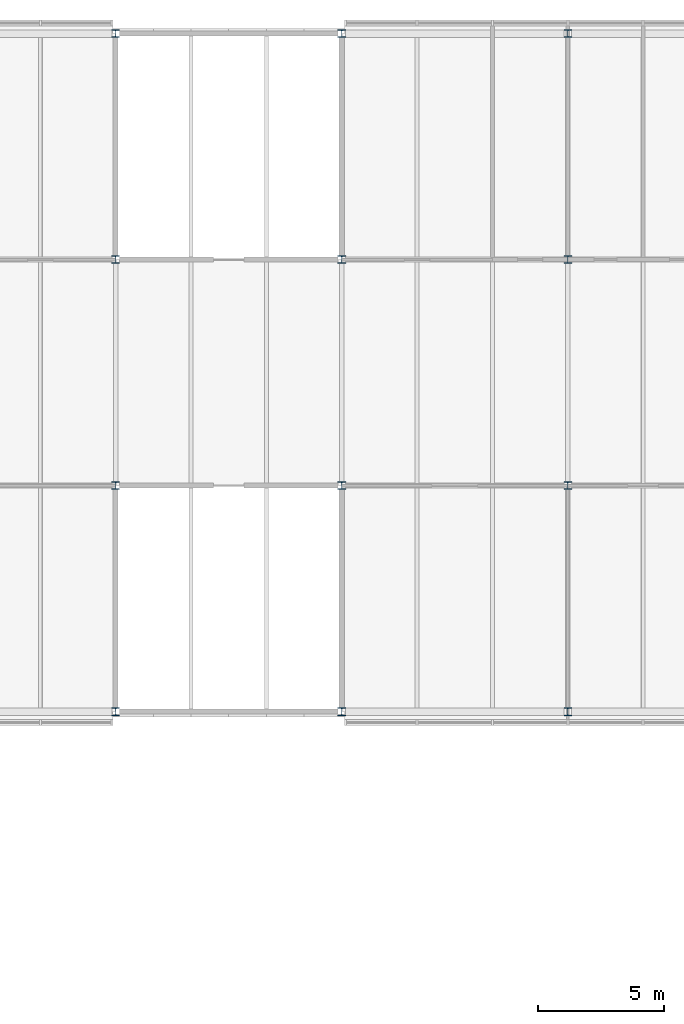
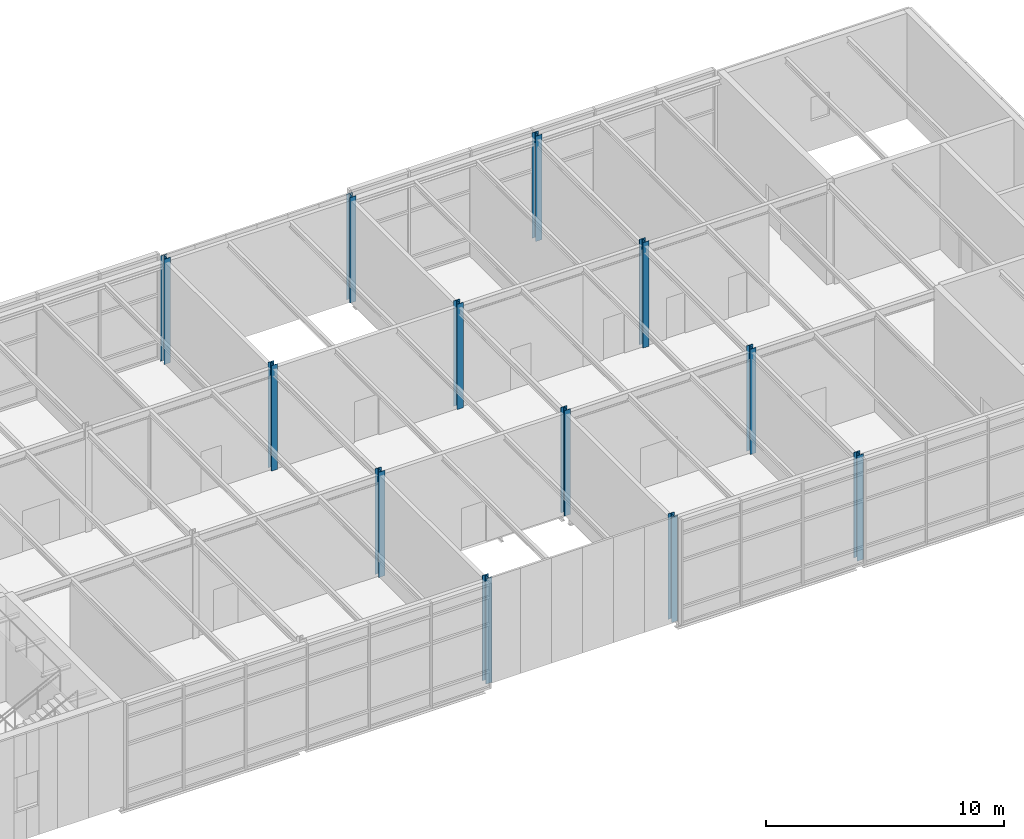
# One storey, part 8 of 46: 12 columns.
"""IFC4 building model written with IfcOpenShell, lengths in metres."""

from ifc_helpers import new_model, si_unit, direction, frame, origin, origin_2d, place, context, subcontext, project, spatial, i_section, extrude, material, material_profile, profile_set, type_object, element, save


model = new_model("IFC4")

# Units and contexts
model_context = context("Model", 3, precision=1e-05, world=origin(), true_north=direction((0.0, 1.0)))
body_context = subcontext(model_context, "Body", "Model", "MODEL_VIEW")
ifc_project = project(units=[si_unit("LENGTHUNIT", "METRE"), si_unit("AREAUNIT", "SQUARE_METRE"), si_unit("VOLUMEUNIT", "CUBIC_METRE"), si_unit("PLANEANGLEUNIT", "RADIAN"), si_unit("MASSUNIT", "GRAM", prefix="KILO")], contexts=[model_context])

# Site, building, storey
site_placement = place(None, origin())
site = spatial("IfcSite", under=ifc_project, at=site_placement, CompositionType="ELEMENT")
building_placement = place(site_placement, origin())
building = spatial("IfcBuilding", under=site, at=building_placement, Name="Azimuth Sports and Learning Centre", CompositionType="ELEMENT")
storey_placement = place(building_placement, frame((0.0, 0.0, 21.60009765625)))
storey = spatial("IfcBuildingStorey", under=building, at=storey_placement, Name="L04", CompositionType="ELEMENT", Elevation=21.60009765625)

# Columns
ifc_material = material(Name="Steel S355", Category="steel")
ifc_material_profile = material_profile(ifc_material, i_section(OverallWidth=0.300048828125, OverallDepth=0.300048828125, WebThickness=0.010986328125, FlangeThickness=0.01904296875, FilletRadius=0.027099609375, at=origin_2d()), Name="HEB 300")
ifc_profile_set = profile_set([ifc_material_profile], Name="Steel S355")
column_type = type_object("IfcColumnType", Name="Column HEB 300", PredefinedType="COLUMN", material=ifc_profile_set)
for number, where, z_axis, x_axis, name in (
    (1, (135.0, 90.0, 0.0), (0.0, 0.0, 1.0), (1.0, 0.0, 0.0), "Column 16L L04"),
    (2, (144.0, 90.0, 0.0), (0.0, 0.0, 1.0), (1.0, 0.0, 0.0), "Column 17L L04"),
    (3, (153.0, 90.0, 0.0), (0.0, 0.0, 1.0), (1.0, 0.0, 0.0), "Column 18L L04"),
    (4, (135.0, 99.0, 0.0), (0.0, 0.0, 1.0), (1.0, 0.0, 0.0), "Column 16M L04"),
    (5, (144.0, 99.0, 0.0), (0.0, 0.0, 1.0), (1.0, 0.0, 0.0), "Column 17M L04"),
    (6, (153.0, 99.0, 0.0), (0.0, 0.0, 1.0), (1.0, 0.0, 0.0), "Column 18M L04"),
    (7, (135.0, 108.0, 0.0), (0.0, 0.0, 1.0), (1.0, 0.0, 0.0), "Column 16N L04"),
    (8, (144.0, 108.0, 0.0), (0.0, 0.0, 1.0), (1.0, 0.0, 0.0), "Column 17N L04"),
    (9, (153.0, 108.0, 0.0), (0.0, 0.0, 1.0), (1.0, 0.0, 0.0), "Column 18N L04"),
    (10, (135.0, 117.0, 0.0), (0.0, 0.0, 1.0), (1.0, 0.0, 0.0), "Column 16P L04"),
    (11, (144.0, 117.0, 0.0), (0.0, 0.0, 1.0), (1.0, 0.0, 0.0), "Column 17P L04"),
    (12, (153.0, 117.0, 0.0), (0.0, 0.0, 1.0), (1.0, 0.0, 0.0), "Column 18P L04"),
):
    element("IfcColumn", number, at=place(storey_placement, frame(where, z_axis=z_axis, x_axis=x_axis)), inside=storey, type_object=column_type, Name=name, PredefinedType="COLUMN", context=body_context, shape_type="SweptSolid", body=[
        extrude(i_section(OverallWidth=0.300048828125, OverallDepth=0.300048828125, WebThickness=0.010986328125, FlangeThickness=0.01904296875, FilletRadius=0.027099609375, at=origin_2d()), origin(), (0.0, 0.0, 1.0), 5.39990234375),
    ])

save(model, "model.ifc")
